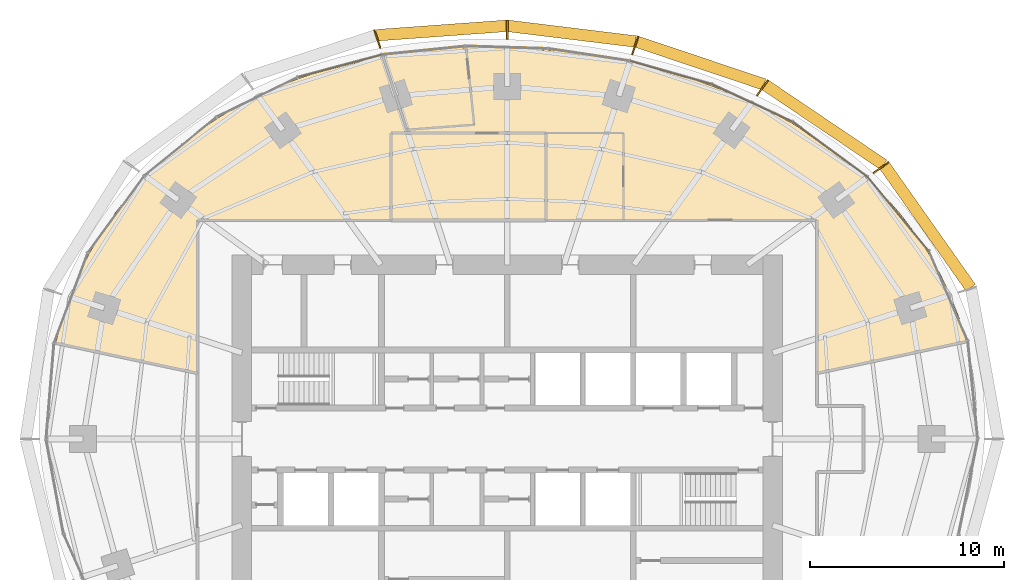
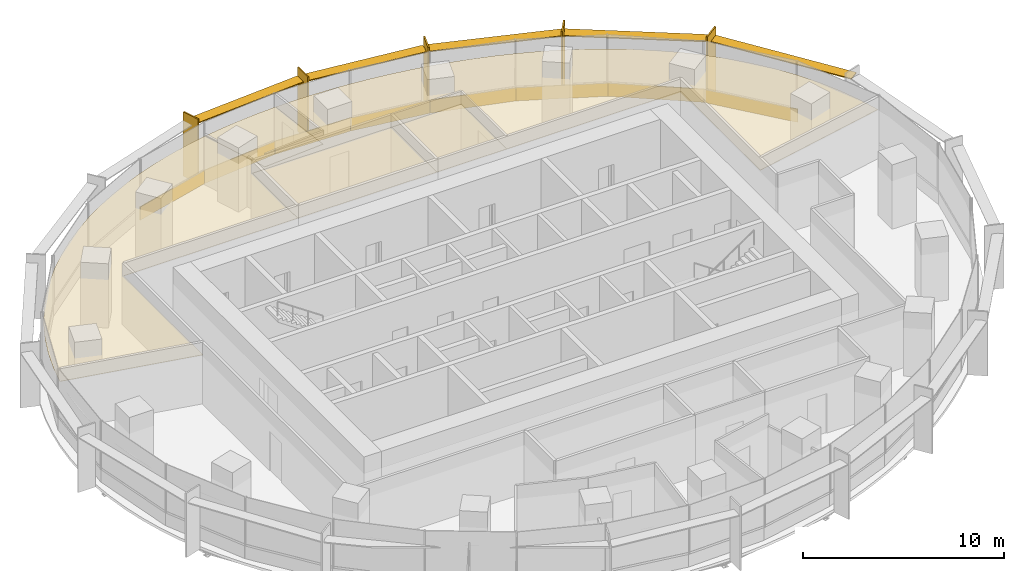
# One storey, part 15 of 15: 12 coverings, 10 shading devices.
"""IFC4 building model written with IfcOpenShell, lengths in metres."""

from ifc_helpers import new_model, si_unit, direction, frame, origin, origin_2d, place, context, subcontext, project, spatial, polyline, rectangle, outline, extrude, material, layer, layer_set, type_object, element, save


model = new_model("IFC4")

# Units and contexts
model_context = context("Model", 3, precision=1e-05, world=origin(), true_north=direction((0.0, 1.0)))
body_context = subcontext(model_context, "Body", "Model", "MODEL_VIEW")
ifc_project = project(units=[si_unit("LENGTHUNIT", "METRE"), si_unit("AREAUNIT", "SQUARE_METRE"), si_unit("VOLUMEUNIT", "CUBIC_METRE"), si_unit("PLANEANGLEUNIT", "RADIAN"), si_unit("MASSUNIT", "GRAM", prefix="KILO")], contexts=[model_context])

# Site, building, storey
site_placement = place(None, origin())
site = spatial("IfcSite", under=ifc_project, at=site_placement, CompositionType="ELEMENT")
building_placement = place(site_placement, origin())
building = spatial("IfcBuilding", under=site, at=building_placement, Name="Marramba Exchange Tower", CompositionType="ELEMENT")
storey_placement = place(building_placement, frame((0.0, 0.0, 226.699951171875)))
storey = spatial("IfcBuildingStorey", under=building, at=storey_placement, Name="L55", CompositionType="ELEMENT", Elevation=226.699951171875)

# Shading devices
ifc_material_1 = material(Name="Aluminium blade, timber-look bronze finish", Category="wood")
ifc_layer_1 = layer(ifc_material_1, 0.080078125)
ifc_layer_set_1 = layer_set([ifc_layer_1], Name="Floor-edge blade 1000x80")
shading_device_type_1 = type_object("IfcShadingDeviceType", Name="Floor-edge blade 1000x80", PredefinedType="USERDEFINED", material=ifc_layer_set_1)
for number, where, z_axis, x_axis, name in (
    (1, (19.298828125, 14.021484375, -0.159912109375), (0.0, 0.0, 1.0), (0.809016994375, 0.587785252292, 0.0), "Floor-edge blade FB1 L55 TC03"),
    (2, (13.176513671875, 18.135986328125, -0.159912109375), (0.0, 0.0, 1.0), (0.587785252292, 0.809016994375, 0.0), "Floor-edge blade FB1 L55 TC04"),
    (3, (6.605712890625, 20.330078125, -0.159912109375), (0.0, 0.0, 1.0), (0.309016994375, 0.951056516295, 0.0), "Floor-edge blade FB1 L55 TC05"),
    (4, (0.0, 21.13623046875, -0.159912109375), (0.0, 0.0, 1.0), (0.0, 1.0, 0.0), "Floor-edge blade FB1 L55 TC06"),
    (5, (-6.7119140625, 20.657470703125, -0.159912109375), (0.0, 0.0, 1.0), (-0.309016994375, 0.951056516295, 0.0), "Floor-edge blade FB1 L55 TC07"),
):
    element("IfcShadingDevice", number, at=place(storey_placement, frame(where, z_axis=z_axis, x_axis=x_axis)), inside=storey, type_object=shading_device_type_1, Name=name, ObjectType="FIN", PredefinedType="USERDEFINED", context=body_context, shape_type="SweptSolid", body=[
        extrude(rectangle(XDim=1.0, YDim=0.080078125, at=origin_2d()), origin(), (0.0, 0.0, 1.0), 3.89990234375),
    ])
ifc_material_2 = material(Name="Aluminium sunshade, bronze anodised", Category="aluminium")
ifc_layer_2 = layer(ifc_material_2, 0.06005859375)
ifc_layer_set_2 = layer_set([ifc_layer_2], Name="SUNSHADE blade 600x60")
shading_device_type_2 = type_object("IfcShadingDeviceType", Name="SUNSHADE blade 600x60", PredefinedType="USERDEFINED", material=ifc_layer_set_2)
shading_device_1_placement = place(storey_placement, frame((21.703857421875, 10.9599609375, 3.159912109375), z_axis=(0.0, 0.0, 1.0), x_axis=(-0.576555118613, 0.81705825692, 0.0)))
element("IfcShadingDevice", 6, at=shading_device_1_placement, inside=storey, type_object=shading_device_type_2, Name="Sunshade SS1 L55 bay 02", ObjectType="SUNSHADE", PredefinedType="USERDEFINED", context=body_context, shape_type="SweptSolid", body=[
    extrude(rectangle(XDim=7.70166015625, YDim=0.60009765625, at=origin_2d()), origin(), (0.0, 0.0, 1.0), 0.06005859375),
])
shading_device_2_placement = place(storey_placement, frame((16.37744140625, 16.218505859375, 3.159912109375), z_axis=(0.0, 0.0, 1.0), x_axis=(-0.829071447151, 0.559142679035, 0.0)))
element("IfcShadingDevice", 7, at=shading_device_2_placement, inside=storey, type_object=shading_device_type_2, Name="Sunshade SS1 L55 bay 03", ObjectType="SUNSHADE", PredefinedType="USERDEFINED", context=body_context, shape_type="SweptSolid", body=[
    extrude(rectangle(XDim=7.35791015625, YDim=0.60009765625, at=origin_2d()), origin(), (0.0, 0.0, 1.0), 0.06005859375),
])
shading_device_3_placement = place(storey_placement, frame((9.980712890625, 19.4091796875, 3.159912109375), z_axis=(0.0, 0.0, 1.0), x_axis=(-0.948096437223, 0.317982933073, 0.0)))
element("IfcShadingDevice", 8, at=shading_device_3_placement, inside=storey, type_object=shading_device_type_2, Name="Sunshade SS1 L55 bay 04", ObjectType="SUNSHADE", PredefinedType="USERDEFINED", context=body_context, shape_type="SweptSolid", body=[
    extrude(rectangle(XDim=6.909423828125, YDim=0.60009765625, at=origin_2d()), origin(), (0.0, 0.0, 1.0), 0.06005859375),
])
shading_device_4_placement = place(storey_placement, frame((3.333740234375, 20.92822265625, 3.159912109375), z_axis=(0.0, 0.0, 1.0), x_axis=(-0.992595256045, 0.121468751853, 0.0)))
element("IfcShadingDevice", 9, at=shading_device_4_placement, inside=storey, type_object=shading_device_type_2, Name="Sunshade SS1 L55 bay 05", ObjectType="SUNSHADE", PredefinedType="USERDEFINED", context=body_context, shape_type="SweptSolid", body=[
    extrude(rectangle(XDim=6.63720703125, YDim=0.60009765625, at=origin_2d()), origin(), (0.0, 0.0, 1.0), 0.06005859375),
])
shading_device_5_placement = place(storey_placement, frame((-3.386962890625, 21.092041015625, 3.159912109375), z_axis=(0.0, 0.0, 1.0), x_axis=(-0.997407641713, -0.071958295234, 0.0)))
element("IfcShadingDevice", 10, at=shading_device_5_placement, inside=storey, type_object=shading_device_type_2, Name="Sunshade SS1 L55 bay 06", ObjectType="SUNSHADE", PredefinedType="USERDEFINED", context=body_context, shape_type="SweptSolid", body=[
    extrude(rectangle(XDim=6.71142578125, YDim=0.60009765625, at=origin_2d()), origin(), (0.0, 0.0, 1.0), 0.06005859375),
])

# Coverings
ifc_material_3 = material(Name="Aluminium spandrel panel, bronze anodised, insulated", Category="aluminium")
ifc_layer_3 = layer(ifc_material_3, 0.050048828125)
ifc_layer_set_3 = layer_set([ifc_layer_3], Name="Spandrel panel 800")
covering_type_1 = type_object("IfcCoveringType", Name="Spandrel panel 800", PredefinedType="CLADDING", material=ifc_layer_set_3)
covering_1_placement = place(storey_placement, frame((20.193603515625, 11.608642578125, 0.0), z_axis=(0.0, 0.0, 1.0), x_axis=(-0.637350224586, 0.770574260678, 0.0)))
element("IfcCovering", 11, at=covering_1_placement, inside=storey, type_object=covering_type_1, Name="Spandrel panel SP1 L55 F03", PredefinedType="CLADDING", context=body_context, shape_type="SweptSolid", body=[
    extrude(rectangle(XDim=4.9658203125, YDim=0.050048828125, at=origin_2d()), origin(), (0.0, 0.0, 1.0), 0.800048828125),
])
covering_2_placement = place(storey_placement, frame((16.677001953125, 14.94775390625, 0.0), z_axis=(0.0, 0.0, 1.0), x_axis=(-0.804877256733, 0.593441321104, 0.0)))
element("IfcCovering", 12, at=covering_2_placement, inside=storey, type_object=covering_type_1, Name="Spandrel panel SP1 L55 F04", PredefinedType="CLADDING", context=body_context, shape_type="SweptSolid", body=[
    extrude(rectangle(XDim=4.805908203125, YDim=0.050048828125, at=origin_2d()), origin(), (0.0, 0.0, 1.0), 0.800048828125),
])
covering_3_placement = place(storey_placement, frame((12.65869140625, 17.344482421875, 0.0), z_axis=(0.0, 0.0, 1.0), x_axis=(-0.906533903661, 0.422133014005, 0.0)))
element("IfcCovering", 13, at=covering_3_placement, inside=storey, type_object=covering_type_1, Name="Spandrel panel SP1 L55 F05", PredefinedType="CLADDING", context=body_context, shape_type="SweptSolid", body=[
    extrude(rectangle(XDim=4.5986328125, YDim=0.050048828125, at=origin_2d()), origin(), (0.0, 0.0, 1.0), 0.800048828125),
])
covering_4_placement = place(storey_placement, frame((8.45849609375, 18.91845703125, 0.0), z_axis=(0.0, 0.0, 1.0), x_axis=(-0.961658952783, 0.274248169607, 0.0)))
element("IfcCovering", 14, at=covering_4_placement, inside=storey, type_object=covering_type_1, Name="Spandrel panel SP1 L55 F06", PredefinedType="CLADDING", context=body_context, shape_type="SweptSolid", body=[
    extrude(rectangle(XDim=4.39990234375, YDim=0.050048828125, at=origin_2d()), origin(), (0.0, 0.0, 1.0), 0.800048828125),
])
covering_5_placement = place(storey_placement, frame((4.230712890625, 19.839599609375, 0.0), z_axis=(0.0, 0.0, 1.0), x_axis=(-0.988868065308, 0.148794991224, 0.0)))
element("IfcCovering", 15, at=covering_5_placement, inside=storey, type_object=covering_type_1, Name="Spandrel panel SP1 L55 F07", PredefinedType="CLADDING", context=body_context, shape_type="SweptSolid", body=[
    extrude(rectangle(XDim=4.27197265625, YDim=0.050048828125, at=origin_2d()), origin(), (0.0, 0.0, 1.0), 0.800048828125),
])
covering_6_placement = place(storey_placement, frame((-0.0068359375, 20.221923828125, 0.0), z_axis=(0.0, 0.0, 1.0), x_axis=(-0.999537999985, 0.030393857689, 0.0)))
element("IfcCovering", 16, at=covering_6_placement, inside=storey, type_object=covering_type_1, Name="Spandrel panel SP1 L55 F08", PredefinedType="CLADDING", context=body_context, shape_type="SweptSolid", body=[
    extrude(rectangle(XDim=4.252685546875, YDim=0.050048828125, at=origin_2d()), origin(), (0.0, 0.0, 1.0), 0.800048828125),
])
covering_7_placement = place(storey_placement, frame((-4.290771484375, 20.06787109375, 0.0), z_axis=(0.0, 0.0, 1.0), x_axis=(-0.994900357732, -0.10086266993, 0.0)))
element("IfcCovering", 17, at=covering_7_placement, inside=storey, type_object=covering_type_1, Name="Spandrel panel SP1 L55 F09", PredefinedType="CLADDING", context=body_context, shape_type="SweptSolid", body=[
    extrude(rectangle(XDim=4.33935546875, YDim=0.050048828125, at=origin_2d()), origin(), (0.0, 0.0, 1.0), 0.800048828125),
])
covering_8_placement = place(storey_placement, frame((-8.620361328125, 19.27001953125, 0.0), z_axis=(0.0, 0.0, 1.0), x_axis=(-0.966240651433, -0.257641230237, 0.0)))
element("IfcCovering", 18, at=covering_8_placement, inside=storey, type_object=covering_type_1, Name="Spandrel panel SP1 L55 F10", PredefinedType="CLADDING", context=body_context, shape_type="SweptSolid", body=[
    extrude(rectangle(XDim=4.49365234375, YDim=0.050048828125, at=origin_2d()), origin(), (0.0, 0.0, 1.0), 0.800048828125),
])
ifc_material_4 = material(Name="Mineral fibre ceiling tiles", Category="gypsum")
ifc_layer_4 = layer(ifc_material_4, 0.02001953125)
ifc_layer_set_4 = layer_set([ifc_layer_4], Name="Suspended ceiling 20")
covering_type_2 = type_object("IfcCoveringType", Name="Suspended ceiling 20", PredefinedType="CEILING", material=ifc_layer_set_4)
covering_9_placement = place(storey_placement, frame((0.0, 0.0, 2.900146484375)))
element("IfcCovering", 19, at=covering_9_placement, inside=storey, type_object=covering_type_2, Name="Ceiling CL1 L55 Open Plan Office 1", PredefinedType="CEILING", context=body_context, shape_type="SweptSolid", body=[
    extrude(outline(polyline([(6.0, 11.300048828125), (6.0, 15.800048828125), (2.0, 15.800048828125), (-6.0, 15.800048828125), (-6.0, 11.300048828125), (-16.0, 11.300048828125), (-16.0, 3.40087890625), (-23.317138671875, 4.956298828125), (-23.002197265625, 6.163330078125), (-22.604248046875, 7.344482421875), (-22.125244140625, 8.4931640625), (-21.569091796875, 9.603271484375), (-20.939697265625, 10.669189453125), (-20.24169921875, 11.6865234375), (-19.48046875, 12.650634765625), (-18.66162109375, 13.55859375), (-17.79150390625, 14.4072265625), (-16.87548828125, 15.19482421875), (-15.920166015625, 15.920166015625), (-14.931396484375, 16.5830078125), (-13.914794921875, 17.183349609375), (-12.8759765625, 17.722412109375), (-11.820068359375, 18.201171875), (-10.75146484375, 18.621826171875), (-9.67431640625, 18.98681640625), (-8.59228515625, 19.29833984375), (-7.50830078125, 19.559326171875), (-6.424560546875, 19.77294921875), (-5.1884765625, 15.96875), (-1.705810546875, 16.22900390625), (-2.123779296875, 20.20703125), (-1.059814453125, 20.22314453125), (0.0, 20.206298828125), (1.056396484375, 20.15771484375), (2.1103515625, 20.077880859375), (3.16259765625, 19.96728515625), (4.214111328125, 19.82568359375), (5.265869140625, 19.65234375), (6.318359375, 19.445556640625), (7.371826171875, 19.2041015625), (8.426025390625, 18.92529296875), (9.480712890625, 18.60693359375), (10.5341796875, 18.245849609375), (11.584716796875, 17.839111328125), (12.6298828125, 17.383544921875), (13.666259765625, 16.87646484375), (14.689453125, 16.314453125), (15.695068359375, 15.695068359375), (16.67724609375, 15.016357421875), (17.6298828125, 14.276611328125), (18.54638671875, 13.474853515625), (19.41943359375, 12.611083984375), (20.24169921875, 11.6865234375), (21.00537109375, 10.70263671875), (21.702880859375, 9.662841796875), (22.32763671875, 8.57080078125), (22.87255859375, 7.431640625), (23.331787109375, 6.251708984375), (23.700439453125, 5.03759765625), (16.0, 3.40087890625), (16.0, 11.300048828125), (6.0, 11.300048828125)])), origin(), (0.0, 0.0, 1.0), 0.02001953125),
])
covering_10_placement = place(storey_placement, frame((0.0, 0.0, 2.900146484375)))
element("IfcCovering", 20, at=covering_10_placement, inside=storey, type_object=covering_type_2, Name="Ceiling CL1 L55 Office 1", PredefinedType="CEILING", context=body_context, shape_type="SweptSolid", body=[
    extrude(outline(polyline([(-6.114501953125, 19.8212890625), (-5.34326171875, 19.941650390625), (-4.265625, 20.068603515625), (-3.1923828125, 20.15625), (-2.85986328125, 20.172119140625), (-2.123779296875, 20.20703125), (-1.705810546875, 16.22900390625), (-5.1884765625, 15.96875), (-6.424560546875, 19.77294921875), (-6.114501953125, 19.8212890625)])), origin(), (0.0, 0.0, 1.0), 0.02001953125),
])
covering_11_placement = place(storey_placement, frame((0.0, 0.0, 2.900146484375)))
element("IfcCovering", 21, at=covering_11_placement, inside=storey, type_object=covering_type_2, Name="Ceiling CL1 L55 Meeting Room 1", PredefinedType="CEILING", context=body_context, shape_type="SweptSolid", body=[
    extrude(outline(polyline([(2.0, 11.300048828125), (-6.0, 11.300048828125), (-6.0, 15.800048828125), (2.0, 15.800048828125), (2.0, 11.300048828125)])), origin(), (0.0, 0.0, 1.0), 0.02001953125),
])
covering_12_placement = place(storey_placement, frame((0.0, 0.0, 2.900146484375)))
element("IfcCovering", 22, at=covering_12_placement, inside=storey, type_object=covering_type_2, Name="Ceiling CL1 L55 Pantry 1", PredefinedType="CEILING", context=body_context, shape_type="SweptSolid", body=[
    extrude(outline(polyline([(6.0, 11.300048828125), (2.0, 11.300048828125), (2.0, 15.800048828125), (6.0, 15.800048828125), (6.0, 11.300048828125)])), origin(), (0.0, 0.0, 1.0), 0.02001953125),
])

save(model, "model.ifc")
